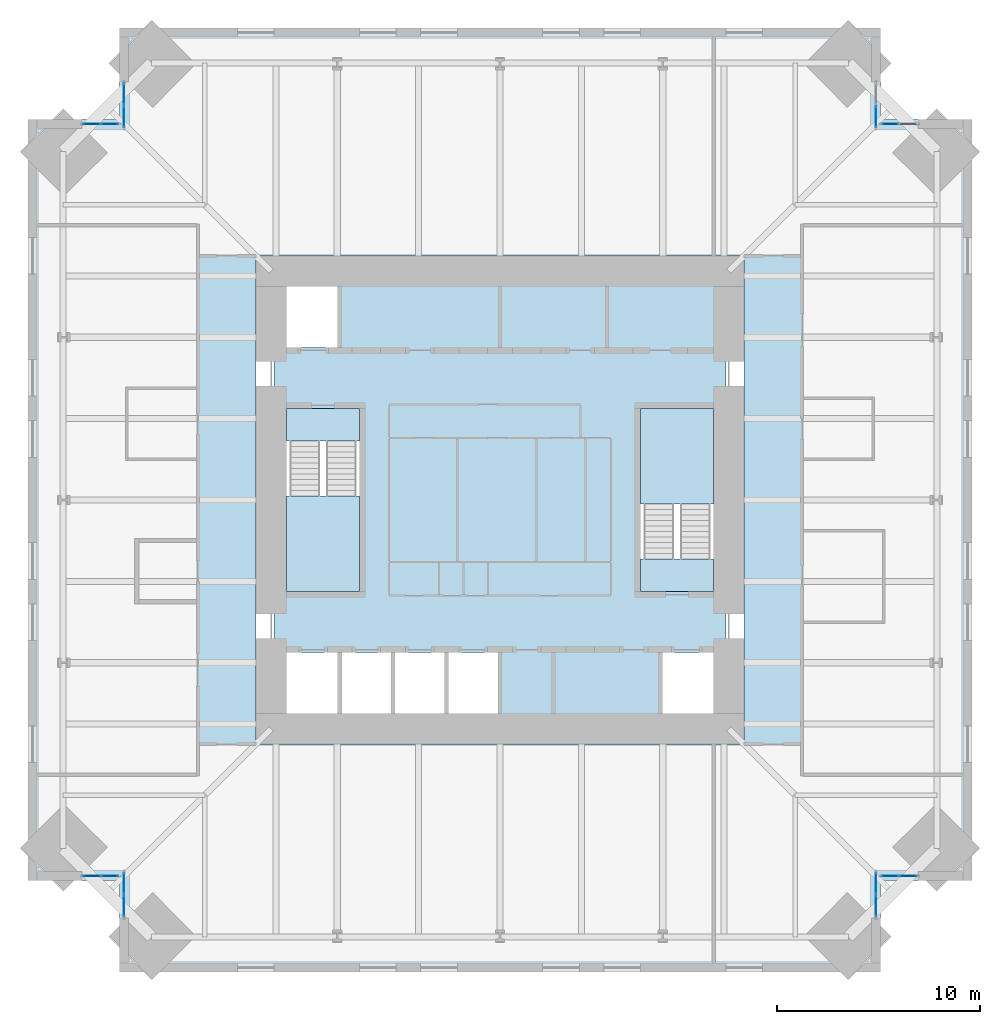
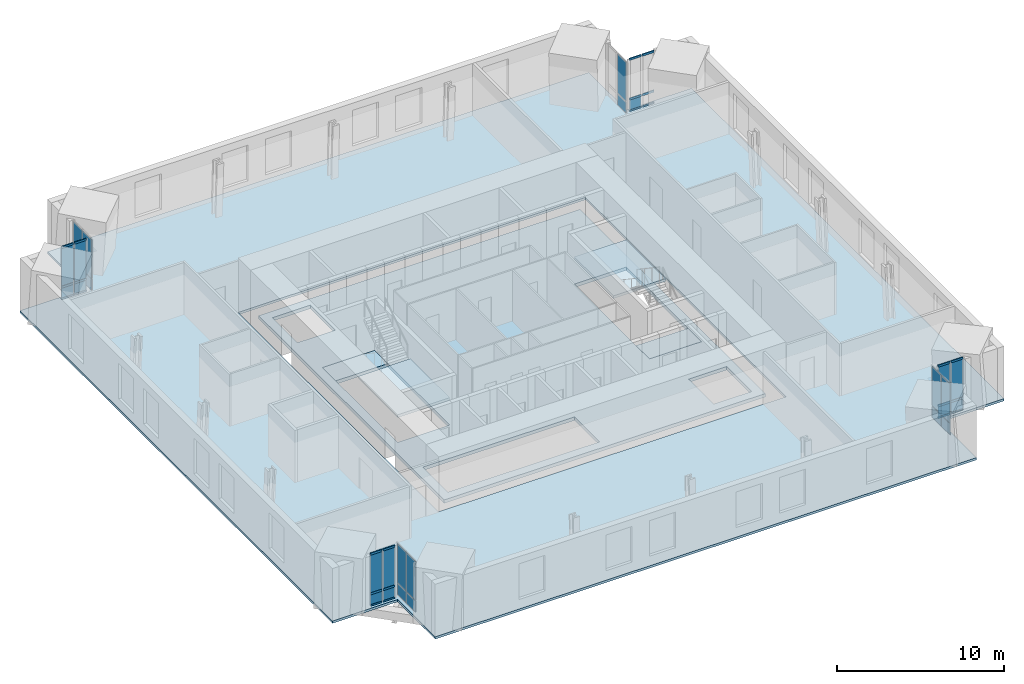
# One storey, part 9 of 15: 27 plates, 24 members, 6 slabs, 10 elements without a shape of their own.
"""IFC4 building model written with IfcOpenShell, lengths in metres."""

from ifc_helpers import new_model, si_unit, direction, frame, origin, origin_2d, place, context, subcontext, project, spatial, polyline, rectangle, hollow_rectangle, outline, extrude, material, layer, layer_set, material_profile, profile_set, type_object, element, aggregate, save


model = new_model("IFC4")

# Units and contexts
model_context = context("Model", 3, precision=1e-05, world=origin(), true_north=direction((0.0, 1.0)))
body_context = subcontext(model_context, "Body", "Model", "MODEL_VIEW")
ifc_project = project(units=[si_unit("LENGTHUNIT", "METRE"), si_unit("AREAUNIT", "SQUARE_METRE"), si_unit("VOLUMEUNIT", "CUBIC_METRE"), si_unit("PLANEANGLEUNIT", "RADIAN"), si_unit("MASSUNIT", "GRAM", prefix="KILO")], contexts=[model_context])

# Site, building, storey
site_placement = place(None, origin())
site = spatial("IfcSite", under=ifc_project, at=site_placement, CompositionType="ELEMENT")
building_placement = place(site_placement, origin())
building = spatial("IfcBuilding", under=site, at=building_placement, Name="Peilmerk Tower", CompositionType="ELEMENT")
storey_placement = place(building_placement, frame((0.0, 0.0, 233.800048828125)))
storey = spatial("IfcBuildingStorey", under=building, at=storey_placement, Name="L51", CompositionType="ELEMENT", Elevation=233.800048828125)

# Curtain wall, members
ifc_material_1 = material(Name="Aluminium stick curtain wall", Category="aluminium")
curtain_wall_type = type_object("IfcCurtainWallType", Name="CW4 stick curtain wall, 2250 module", PredefinedType="NOTDEFINED", material=ifc_material_1)
curtain_wall_1_placement = place(storey_placement, origin())
curtain_wall_1 = element("IfcCurtainWall", 1, at=curtain_wall_1_placement, inside=storey, type_object=curtain_wall_type, Name="Curtain wall CW4 NEB L51", PredefinedType="NOTDEFINED")
ifc_material_2 = material(Name="Aluminium EN AW-6063 T6", Category="aluminium")
ifc_material_profile = material_profile(ifc_material_2, hollow_rectangle(XDim=0.06494140625, YDim=0.14990234375, WallThickness=0.0029296875, at=origin_2d()), Name="AL 150x65x3")
ifc_profile_set = profile_set([ifc_material_profile], Name="Aluminium EN AW-6063 T6")
member_type = type_object("IfcMemberType", Name="CW4-T AL 150x65x3 transom", PredefinedType="USERDEFINED", material=ifc_profile_set)
member_1_placement = place(storey_placement, frame((18.764892578125, 18.47509765625, 0.032470703125), z_axis=(1.0, 0.0, 0.0), x_axis=(0.0, 1.0, 0.0)))
member_1 = element("IfcMember", 2, at=member_1_placement, type_object=member_type, Name="CW4 transom 1.1", ObjectType="TRANSOM", PredefinedType="USERDEFINED", context=body_context, shape_type="SweptSolid", body=[
    extrude(hollow_rectangle(XDim=0.06494140625, YDim=0.14990234375, WallThickness=0.0029296875, at=origin_2d()), origin(), (0.0, 0.0, 1.0), 0.822021484375),
])
member_2_placement = place(storey_placement, frame((18.764892578125, 18.47509765625, 0.89990234375), z_axis=(1.0, 0.0, 0.0), x_axis=(0.0, 1.0, 0.0)))
member_2 = element("IfcMember", 3, at=member_2_placement, type_object=member_type, Name="CW4 transom 1.2", ObjectType="TRANSOM", PredefinedType="USERDEFINED", context=body_context, shape_type="SweptSolid", body=[
    extrude(hollow_rectangle(XDim=0.06494140625, YDim=0.14990234375, WallThickness=0.0029296875, at=origin_2d()), origin(), (0.0, 0.0, 1.0), 0.822021484375),
])
member_3_placement = place(storey_placement, frame((18.764892578125, 18.47509765625, 3.79736328125), z_axis=(1.0, 0.0, 0.0), x_axis=(0.0, 1.0, 0.0)))
member_3 = element("IfcMember", 4, at=member_3_placement, type_object=member_type, Name="CW4 transom 1.3", ObjectType="TRANSOM", PredefinedType="USERDEFINED", context=body_context, shape_type="SweptSolid", body=[
    extrude(hollow_rectangle(XDim=0.06494140625, YDim=0.14990234375, WallThickness=0.0029296875, at=origin_2d()), origin(), (0.0, 0.0, 1.0), 0.822021484375),
])
member_4_placement = place(storey_placement, frame((19.65185546875, 18.47509765625, 0.032470703125), z_axis=(1.0, 0.0, 0.0), x_axis=(0.0, 1.0, 0.0)))
member_4 = element("IfcMember", 5, at=member_4_placement, type_object=member_type, Name="CW4 transom 2.1", ObjectType="TRANSOM", PredefinedType="USERDEFINED", context=body_context, shape_type="SweptSolid", body=[
    extrude(hollow_rectangle(XDim=0.06494140625, YDim=0.14990234375, WallThickness=0.0029296875, at=origin_2d()), origin(), (0.0, 0.0, 1.0), 0.82177734375),
])
member_5_placement = place(storey_placement, frame((19.65185546875, 18.47509765625, 0.89990234375), z_axis=(1.0, 0.0, 0.0), x_axis=(0.0, 1.0, 0.0)))
member_5 = element("IfcMember", 6, at=member_5_placement, type_object=member_type, Name="CW4 transom 2.2", ObjectType="TRANSOM", PredefinedType="USERDEFINED", context=body_context, shape_type="SweptSolid", body=[
    extrude(hollow_rectangle(XDim=0.06494140625, YDim=0.14990234375, WallThickness=0.0029296875, at=origin_2d()), origin(), (0.0, 0.0, 1.0), 0.82177734375),
])
member_6_placement = place(storey_placement, frame((19.65185546875, 18.47509765625, 3.79736328125), z_axis=(1.0, 0.0, 0.0), x_axis=(0.0, 1.0, 0.0)))
member_6 = element("IfcMember", 7, at=member_6_placement, type_object=member_type, Name="CW4 transom 2.3", ObjectType="TRANSOM", PredefinedType="USERDEFINED", context=body_context, shape_type="SweptSolid", body=[
    extrude(hollow_rectangle(XDim=0.06494140625, YDim=0.14990234375, WallThickness=0.0029296875, at=origin_2d()), origin(), (0.0, 0.0, 1.0), 0.82177734375),
])

curtain_wall_2_placement = place(storey_placement, origin())
curtain_wall_2 = element("IfcCurtainWall", 8, at=curtain_wall_2_placement, inside=storey, type_object=curtain_wall_type, Name="Curtain wall CW4 SEB L51", PredefinedType="NOTDEFINED")
member_7_placement = place(storey_placement, frame((18.764892578125, -18.47509765625, 0.032470703125), z_axis=(1.0, 0.0, 0.0), x_axis=(0.0, 1.0, 0.0)))
member_7 = element("IfcMember", 9, at=member_7_placement, type_object=member_type, Name="CW4 transom 1.1", ObjectType="TRANSOM", PredefinedType="USERDEFINED", context=body_context, shape_type="SweptSolid", body=[
    extrude(hollow_rectangle(XDim=0.06494140625, YDim=0.14990234375, WallThickness=0.0029296875, at=origin_2d()), origin(), (0.0, 0.0, 1.0), 0.822021484375),
])
member_8_placement = place(storey_placement, frame((18.764892578125, -18.47509765625, 0.89990234375), z_axis=(1.0, 0.0, 0.0), x_axis=(0.0, 1.0, 0.0)))
member_8 = element("IfcMember", 10, at=member_8_placement, type_object=member_type, Name="CW4 transom 1.2", ObjectType="TRANSOM", PredefinedType="USERDEFINED", context=body_context, shape_type="SweptSolid", body=[
    extrude(hollow_rectangle(XDim=0.06494140625, YDim=0.14990234375, WallThickness=0.0029296875, at=origin_2d()), origin(), (0.0, 0.0, 1.0), 0.822021484375),
])
member_9_placement = place(storey_placement, frame((18.764892578125, -18.47509765625, 3.79736328125), z_axis=(1.0, 0.0, 0.0), x_axis=(0.0, 1.0, 0.0)))
member_9 = element("IfcMember", 11, at=member_9_placement, type_object=member_type, Name="CW4 transom 1.3", ObjectType="TRANSOM", PredefinedType="USERDEFINED", context=body_context, shape_type="SweptSolid", body=[
    extrude(hollow_rectangle(XDim=0.06494140625, YDim=0.14990234375, WallThickness=0.0029296875, at=origin_2d()), origin(), (0.0, 0.0, 1.0), 0.822021484375),
])
member_10_placement = place(storey_placement, frame((19.65185546875, -18.47509765625, 0.032470703125), z_axis=(1.0, 0.0, 0.0), x_axis=(0.0, 1.0, 0.0)))
member_10 = element("IfcMember", 12, at=member_10_placement, type_object=member_type, Name="CW4 transom 2.1", ObjectType="TRANSOM", PredefinedType="USERDEFINED", context=body_context, shape_type="SweptSolid", body=[
    extrude(hollow_rectangle(XDim=0.06494140625, YDim=0.14990234375, WallThickness=0.0029296875, at=origin_2d()), origin(), (0.0, 0.0, 1.0), 0.82177734375),
])
member_11_placement = place(storey_placement, frame((19.65185546875, -18.47509765625, 0.89990234375), z_axis=(1.0, 0.0, 0.0), x_axis=(0.0, 1.0, 0.0)))
member_11 = element("IfcMember", 13, at=member_11_placement, type_object=member_type, Name="CW4 transom 2.2", ObjectType="TRANSOM", PredefinedType="USERDEFINED", context=body_context, shape_type="SweptSolid", body=[
    extrude(hollow_rectangle(XDim=0.06494140625, YDim=0.14990234375, WallThickness=0.0029296875, at=origin_2d()), origin(), (0.0, 0.0, 1.0), 0.82177734375),
])
member_12_placement = place(storey_placement, frame((19.65185546875, -18.47509765625, 3.79736328125), z_axis=(1.0, 0.0, 0.0), x_axis=(0.0, 1.0, 0.0)))
member_12 = element("IfcMember", 14, at=member_12_placement, type_object=member_type, Name="CW4 transom 2.3", ObjectType="TRANSOM", PredefinedType="USERDEFINED", context=body_context, shape_type="SweptSolid", body=[
    extrude(hollow_rectangle(XDim=0.06494140625, YDim=0.14990234375, WallThickness=0.0029296875, at=origin_2d()), origin(), (0.0, 0.0, 1.0), 0.82177734375),
])

curtain_wall_3_placement = place(storey_placement, origin())
curtain_wall_3 = element("IfcCurtainWall", 15, at=curtain_wall_3_placement, inside=storey, type_object=curtain_wall_type, Name="Curtain wall CW4 SWB L51", PredefinedType="NOTDEFINED")
member_13_placement = place(storey_placement, frame((-18.764892578125, -18.47509765625, 0.032470703125), z_axis=(-1.0, 0.0, 0.0), x_axis=(0.0, -1.0, 0.0)))
member_13 = element("IfcMember", 16, at=member_13_placement, type_object=member_type, Name="CW4 transom 1.1", ObjectType="TRANSOM", PredefinedType="USERDEFINED", context=body_context, shape_type="SweptSolid", body=[
    extrude(hollow_rectangle(XDim=0.06494140625, YDim=0.14990234375, WallThickness=0.0029296875, at=origin_2d()), origin(), (0.0, 0.0, 1.0), 0.822021484375),
])
member_14_placement = place(storey_placement, frame((-18.764892578125, -18.47509765625, 0.89990234375), z_axis=(-1.0, 0.0, 0.0), x_axis=(0.0, -1.0, 0.0)))
member_14 = element("IfcMember", 17, at=member_14_placement, type_object=member_type, Name="CW4 transom 1.2", ObjectType="TRANSOM", PredefinedType="USERDEFINED", context=body_context, shape_type="SweptSolid", body=[
    extrude(hollow_rectangle(XDim=0.06494140625, YDim=0.14990234375, WallThickness=0.0029296875, at=origin_2d()), origin(), (0.0, 0.0, 1.0), 0.822021484375),
])
member_15_placement = place(storey_placement, frame((-18.764892578125, -18.47509765625, 3.79736328125), z_axis=(-1.0, 0.0, 0.0), x_axis=(0.0, -1.0, 0.0)))
member_15 = element("IfcMember", 18, at=member_15_placement, type_object=member_type, Name="CW4 transom 1.3", ObjectType="TRANSOM", PredefinedType="USERDEFINED", context=body_context, shape_type="SweptSolid", body=[
    extrude(hollow_rectangle(XDim=0.06494140625, YDim=0.14990234375, WallThickness=0.0029296875, at=origin_2d()), origin(), (0.0, 0.0, 1.0), 0.822021484375),
])
member_16_placement = place(storey_placement, frame((-19.65185546875, -18.47509765625, 0.032470703125), z_axis=(-1.0, 0.0, 0.0), x_axis=(0.0, -1.0, 0.0)))
member_16 = element("IfcMember", 19, at=member_16_placement, type_object=member_type, Name="CW4 transom 2.1", ObjectType="TRANSOM", PredefinedType="USERDEFINED", context=body_context, shape_type="SweptSolid", body=[
    extrude(hollow_rectangle(XDim=0.06494140625, YDim=0.14990234375, WallThickness=0.0029296875, at=origin_2d()), origin(), (0.0, 0.0, 1.0), 0.82177734375),
])
member_17_placement = place(storey_placement, frame((-19.65185546875, -18.47509765625, 0.89990234375), z_axis=(-1.0, 0.0, 0.0), x_axis=(0.0, -1.0, 0.0)))
member_17 = element("IfcMember", 20, at=member_17_placement, type_object=member_type, Name="CW4 transom 2.2", ObjectType="TRANSOM", PredefinedType="USERDEFINED", context=body_context, shape_type="SweptSolid", body=[
    extrude(hollow_rectangle(XDim=0.06494140625, YDim=0.14990234375, WallThickness=0.0029296875, at=origin_2d()), origin(), (0.0, 0.0, 1.0), 0.82177734375),
])
member_18_placement = place(storey_placement, frame((-19.65185546875, -18.47509765625, 3.79736328125), z_axis=(-1.0, 0.0, 0.0), x_axis=(0.0, -1.0, 0.0)))
member_18 = element("IfcMember", 21, at=member_18_placement, type_object=member_type, Name="CW4 transom 2.3", ObjectType="TRANSOM", PredefinedType="USERDEFINED", context=body_context, shape_type="SweptSolid", body=[
    extrude(hollow_rectangle(XDim=0.06494140625, YDim=0.14990234375, WallThickness=0.0029296875, at=origin_2d()), origin(), (0.0, 0.0, 1.0), 0.82177734375),
])

curtain_wall_4_placement = place(storey_placement, origin())
curtain_wall_4 = element("IfcCurtainWall", 22, at=curtain_wall_4_placement, inside=storey, type_object=curtain_wall_type, Name="Curtain wall CW4 NWB L51", PredefinedType="NOTDEFINED")
member_19_placement = place(storey_placement, frame((-18.764892578125, 18.47509765625, 0.032470703125), z_axis=(-1.0, 0.0, 0.0), x_axis=(0.0, -1.0, 0.0)))
member_19 = element("IfcMember", 23, at=member_19_placement, type_object=member_type, Name="CW4 transom 1.1", ObjectType="TRANSOM", PredefinedType="USERDEFINED", context=body_context, shape_type="SweptSolid", body=[
    extrude(hollow_rectangle(XDim=0.06494140625, YDim=0.14990234375, WallThickness=0.0029296875, at=origin_2d()), origin(), (0.0, 0.0, 1.0), 0.822021484375),
])
member_20_placement = place(storey_placement, frame((-18.764892578125, 18.47509765625, 0.89990234375), z_axis=(-1.0, 0.0, 0.0), x_axis=(0.0, -1.0, 0.0)))
member_20 = element("IfcMember", 24, at=member_20_placement, type_object=member_type, Name="CW4 transom 1.2", ObjectType="TRANSOM", PredefinedType="USERDEFINED", context=body_context, shape_type="SweptSolid", body=[
    extrude(hollow_rectangle(XDim=0.06494140625, YDim=0.14990234375, WallThickness=0.0029296875, at=origin_2d()), origin(), (0.0, 0.0, 1.0), 0.822021484375),
])
member_21_placement = place(storey_placement, frame((-18.764892578125, 18.47509765625, 3.79736328125), z_axis=(-1.0, 0.0, 0.0), x_axis=(0.0, -1.0, 0.0)))
member_21 = element("IfcMember", 25, at=member_21_placement, type_object=member_type, Name="CW4 transom 1.3", ObjectType="TRANSOM", PredefinedType="USERDEFINED", context=body_context, shape_type="SweptSolid", body=[
    extrude(hollow_rectangle(XDim=0.06494140625, YDim=0.14990234375, WallThickness=0.0029296875, at=origin_2d()), origin(), (0.0, 0.0, 1.0), 0.822021484375),
])
member_22_placement = place(storey_placement, frame((-19.65185546875, 18.47509765625, 0.032470703125), z_axis=(-1.0, 0.0, 0.0), x_axis=(0.0, -1.0, 0.0)))
member_22 = element("IfcMember", 26, at=member_22_placement, type_object=member_type, Name="CW4 transom 2.1", ObjectType="TRANSOM", PredefinedType="USERDEFINED", context=body_context, shape_type="SweptSolid", body=[
    extrude(hollow_rectangle(XDim=0.06494140625, YDim=0.14990234375, WallThickness=0.0029296875, at=origin_2d()), origin(), (0.0, 0.0, 1.0), 0.82177734375),
])
member_23_placement = place(storey_placement, frame((-19.65185546875, 18.47509765625, 0.89990234375), z_axis=(-1.0, 0.0, 0.0), x_axis=(0.0, -1.0, 0.0)))
member_23 = element("IfcMember", 27, at=member_23_placement, type_object=member_type, Name="CW4 transom 2.2", ObjectType="TRANSOM", PredefinedType="USERDEFINED", context=body_context, shape_type="SweptSolid", body=[
    extrude(hollow_rectangle(XDim=0.06494140625, YDim=0.14990234375, WallThickness=0.0029296875, at=origin_2d()), origin(), (0.0, 0.0, 1.0), 0.82177734375),
])
member_24_placement = place(storey_placement, frame((-19.65185546875, 18.47509765625, 3.79736328125), z_axis=(-1.0, 0.0, 0.0), x_axis=(0.0, -1.0, 0.0)))
member_24 = element("IfcMember", 28, at=member_24_placement, type_object=member_type, Name="CW4 transom 2.3", ObjectType="TRANSOM", PredefinedType="USERDEFINED", context=body_context, shape_type="SweptSolid", body=[
    extrude(hollow_rectangle(XDim=0.06494140625, YDim=0.14990234375, WallThickness=0.0029296875, at=origin_2d()), origin(), (0.0, 0.0, 1.0), 0.82177734375),
])

# Slab
ifc_material_3 = material(Name="Concrete C55/67", Category="concrete")
ifc_layer_1 = layer(ifc_material_3, 0.25)
ifc_layer_set_1 = layer_set([ifc_layer_1], Name="Concrete C55/67")
slab_type_1 = type_object("IfcSlabType", Name="CS250 250 core floor slab", PredefinedType="FLOOR", material=ifc_layer_set_1)
slab_1_placement = place(storey_placement, frame((0.0, 0.0, -0.25)))
element("IfcSlab", 29, at=slab_1_placement, inside=storey, type_object=slab_type_1, Name="Core slab L51", PredefinedType="FLOOR", context=body_context, shape_type="SweptSolid", body=[
    extrude(outline(polyline([(11.10009765625, -11.10009765625), (11.10009765625, 11.10009765625), (-11.10009765625, 11.10009765625), (-11.10009765625, -11.10009765625), (11.10009765625, -11.10009765625)]), holes=[polyline([(-7.875, 7.5), (-10.5, 7.5), (-10.5, 10.5), (-7.875, 10.5), (-7.875, 7.5)]), polyline([(0.0, -10.5), (-10.5, -10.5), (-10.5, -7.5), (0.0, -7.5), (0.0, -10.5)]), polyline([(7.875, -10.5), (7.875, -7.5), (10.5, -7.5), (10.5, -10.5), (7.875, -10.5)]), polyline([(-10.5, 4.5), (-6.89990234375, 4.5), (-6.89990234375, -4.5), (-10.5, -4.5), (-10.5, 4.5)]), polyline([(10.5, 4.5), (10.5, -4.5), (6.89990234375, -4.5), (6.89990234375, 4.5), (10.5, 4.5)])]), origin(), (0.0, 0.0, 1.0), 0.25),
])

# Curtain wall, plates
curtain_wall_5_placement = place(storey_placement, origin())
curtain_wall_5 = element("IfcCurtainWall", 30, at=curtain_wall_5_placement, inside=storey, type_object=curtain_wall_type, Name="Curtain wall CW4 NEA L51", PredefinedType="NOTDEFINED")
ifc_material_4 = material(Name="Clear insulated glazing unit", Category="glass")
ifc_layer_2 = layer(ifc_material_4, 0.028076171875)
ifc_layer_set_2 = layer_set([ifc_layer_2], Name="Clear insulated glazing unit")
plate_type = type_object("IfcPlateType", Name="CW4-P 28 glazed panel", PredefinedType="CURTAIN_PANEL", material=ifc_layer_set_2)
plate_1_placement = place(storey_placement, frame((18.47509765625, 18.83837890625, 0.06494140625), z_axis=(0.0, 0.0, 1.0), x_axis=(0.0, 1.0, 0.0)))
plate_1 = element("IfcPlate", 31, at=plate_1_placement, type_object=plate_type, Name="CW4 panel 1.1", PredefinedType="CURTAIN_PANEL", context=body_context, shape_type="SweptSolid", body=[
    extrude(rectangle(XDim=1.046875, YDim=0.028076171875, at=origin_2d()), origin(), (0.0, 0.0, 1.0), 0.802490234375),
])
plate_2_placement = place(storey_placement, frame((18.47509765625, 18.83837890625, 0.932373046875), z_axis=(0.0, 0.0, 1.0), x_axis=(0.0, 1.0, 0.0)))
plate_2 = element("IfcPlate", 32, at=plate_2_placement, type_object=plate_type, Name="CW4 panel 1.2", PredefinedType="CURTAIN_PANEL", context=body_context, shape_type="SweptSolid", body=[
    extrude(rectangle(XDim=1.046875, YDim=0.028076171875, at=origin_2d()), origin(), (0.0, 0.0, 1.0), 2.83251953125),
])
aggregate(curtain_wall_5, [plate_1, plate_2])

# Plate
plate_3_placement = place(storey_placement, frame((19.176025390625, 18.47509765625, 0.06494140625), z_axis=(0.0, 0.0, 1.0), x_axis=(1.0, 0.0, 0.0)))
plate_3 = element("IfcPlate", 33, at=plate_3_placement, type_object=plate_type, Name="CW4 panel 1.1", PredefinedType="CURTAIN_PANEL", context=body_context, shape_type="SweptSolid", body=[
    extrude(rectangle(XDim=0.82177734375, YDim=0.028076171875, at=origin_2d()), origin(), (0.0, 0.0, 1.0), 0.802490234375),
])

aggregate(curtain_wall_1, [member_1, member_2, member_3, plate_3, member_4, member_5, member_6])

# Curtain wall, plates
curtain_wall_6_placement = place(storey_placement, origin())
curtain_wall_6 = element("IfcCurtainWall", 34, at=curtain_wall_6_placement, inside=storey, type_object=curtain_wall_type, Name="Curtain wall CW4 SEA L51", PredefinedType="NOTDEFINED")
plate_4_placement = place(storey_placement, frame((18.47509765625, -18.83837890625, 0.06494140625), z_axis=(0.0, 0.0, 1.0), x_axis=(0.0, -1.0, 0.0)))
plate_4 = element("IfcPlate", 35, at=plate_4_placement, type_object=plate_type, Name="CW4 panel 1.1", PredefinedType="CURTAIN_PANEL", context=body_context, shape_type="SweptSolid", body=[
    extrude(rectangle(XDim=1.046875, YDim=0.028076171875, at=origin_2d()), origin(), (0.0, 0.0, 1.0), 0.802490234375),
])
plate_5_placement = place(storey_placement, frame((18.47509765625, -18.83837890625, 0.932373046875), z_axis=(0.0, 0.0, 1.0), x_axis=(0.0, -1.0, 0.0)))
plate_5 = element("IfcPlate", 36, at=plate_5_placement, type_object=plate_type, Name="CW4 panel 1.2", PredefinedType="CURTAIN_PANEL", context=body_context, shape_type="SweptSolid", body=[
    extrude(rectangle(XDim=1.046875, YDim=0.028076171875, at=origin_2d()), origin(), (0.0, 0.0, 1.0), 2.83251953125),
])
plate_6_placement = place(storey_placement, frame((18.47509765625, -19.9501953125, 0.06494140625), z_axis=(0.0, 0.0, 1.0), x_axis=(0.0, -1.0, 0.0)))
plate_6 = element("IfcPlate", 37, at=plate_6_placement, type_object=plate_type, Name="CW4 panel 2.1", PredefinedType="CURTAIN_PANEL", context=body_context, shape_type="SweptSolid", body=[
    extrude(rectangle(XDim=1.046875, YDim=0.028076171875, at=origin_2d()), origin(), (0.0, 0.0, 1.0), 0.802490234375),
])
plate_7_placement = place(storey_placement, frame((18.47509765625, -19.9501953125, 0.932373046875), z_axis=(0.0, 0.0, 1.0), x_axis=(0.0, -1.0, 0.0)))
plate_7 = element("IfcPlate", 38, at=plate_7_placement, type_object=plate_type, Name="CW4 panel 2.2", PredefinedType="CURTAIN_PANEL", context=body_context, shape_type="SweptSolid", body=[
    extrude(rectangle(XDim=1.046875, YDim=0.028076171875, at=origin_2d()), origin(), (0.0, 0.0, 1.0), 2.83251953125),
])
aggregate(curtain_wall_6, [plate_4, plate_5, plate_6, plate_7])

# Plate
plate_8_placement = place(storey_placement, frame((19.176025390625, -18.47509765625, 0.06494140625), z_axis=(0.0, 0.0, 1.0), x_axis=(1.0, 0.0, 0.0)))
plate_8 = element("IfcPlate", 39, at=plate_8_placement, type_object=plate_type, Name="CW4 panel 1.1", PredefinedType="CURTAIN_PANEL", context=body_context, shape_type="SweptSolid", body=[
    extrude(rectangle(XDim=0.82177734375, YDim=0.028076171875, at=origin_2d()), origin(), (0.0, 0.0, 1.0), 0.802490234375),
])

plate_9_placement = place(storey_placement, frame((19.176025390625, -18.47509765625, 0.932373046875), z_axis=(0.0, 0.0, 1.0), x_axis=(1.0, 0.0, 0.0)))
plate_9 = element("IfcPlate", 40, at=plate_9_placement, type_object=plate_type, Name="CW4 panel 1.2", PredefinedType="CURTAIN_PANEL", context=body_context, shape_type="SweptSolid", body=[
    extrude(rectangle(XDim=0.82177734375, YDim=0.028076171875, at=origin_2d()), origin(), (0.0, 0.0, 1.0), 2.83251953125),
])

plate_10_placement = place(storey_placement, frame((20.062744140625, -18.47509765625, 0.06494140625), z_axis=(0.0, 0.0, 1.0), x_axis=(1.0, 0.0, 0.0)))
plate_10 = element("IfcPlate", 41, at=plate_10_placement, type_object=plate_type, Name="CW4 panel 2.1", PredefinedType="CURTAIN_PANEL", context=body_context, shape_type="SweptSolid", body=[
    extrude(rectangle(XDim=0.82177734375, YDim=0.028076171875, at=origin_2d()), origin(), (0.0, 0.0, 1.0), 0.802490234375),
])

plate_11_placement = place(storey_placement, frame((20.062744140625, -18.47509765625, 0.932373046875), z_axis=(0.0, 0.0, 1.0), x_axis=(1.0, 0.0, 0.0)))
plate_11 = element("IfcPlate", 42, at=plate_11_placement, type_object=plate_type, Name="CW4 panel 2.2", PredefinedType="CURTAIN_PANEL", context=body_context, shape_type="SweptSolid", body=[
    extrude(rectangle(XDim=0.82177734375, YDim=0.028076171875, at=origin_2d()), origin(), (0.0, 0.0, 1.0), 2.83251953125),
])

aggregate(curtain_wall_2, [member_7, member_8, member_9, plate_8, plate_9, member_10, member_11, member_12, plate_10, plate_11])

# Curtain wall, plates
curtain_wall_7_placement = place(storey_placement, origin())
curtain_wall_7 = element("IfcCurtainWall", 43, at=curtain_wall_7_placement, inside=storey, type_object=curtain_wall_type, Name="Curtain wall CW4 SWA L51", PredefinedType="NOTDEFINED")
plate_12_placement = place(storey_placement, frame((-18.47509765625, -18.83837890625, 0.06494140625), z_axis=(0.0, 0.0, 1.0), x_axis=(0.0, -1.0, 0.0)))
plate_12 = element("IfcPlate", 44, at=plate_12_placement, type_object=plate_type, Name="CW4 panel 1.1", PredefinedType="CURTAIN_PANEL", context=body_context, shape_type="SweptSolid", body=[
    extrude(rectangle(XDim=1.046875, YDim=0.028076171875, at=origin_2d()), origin(), (0.0, 0.0, 1.0), 0.802490234375),
])
plate_13_placement = place(storey_placement, frame((-18.47509765625, -18.83837890625, 0.932373046875), z_axis=(0.0, 0.0, 1.0), x_axis=(0.0, -1.0, 0.0)))
plate_13 = element("IfcPlate", 45, at=plate_13_placement, type_object=plate_type, Name="CW4 panel 1.2", PredefinedType="CURTAIN_PANEL", context=body_context, shape_type="SweptSolid", body=[
    extrude(rectangle(XDim=1.046875, YDim=0.028076171875, at=origin_2d()), origin(), (0.0, 0.0, 1.0), 2.83251953125),
])
plate_14_placement = place(storey_placement, frame((-18.47509765625, -19.9501953125, 0.06494140625), z_axis=(0.0, 0.0, 1.0), x_axis=(0.0, -1.0, 0.0)))
plate_14 = element("IfcPlate", 46, at=plate_14_placement, type_object=plate_type, Name="CW4 panel 2.1", PredefinedType="CURTAIN_PANEL", context=body_context, shape_type="SweptSolid", body=[
    extrude(rectangle(XDim=1.046875, YDim=0.028076171875, at=origin_2d()), origin(), (0.0, 0.0, 1.0), 0.802490234375),
])
plate_15_placement = place(storey_placement, frame((-18.47509765625, -19.9501953125, 0.932373046875), z_axis=(0.0, 0.0, 1.0), x_axis=(0.0, -1.0, 0.0)))
plate_15 = element("IfcPlate", 47, at=plate_15_placement, type_object=plate_type, Name="CW4 panel 2.2", PredefinedType="CURTAIN_PANEL", context=body_context, shape_type="SweptSolid", body=[
    extrude(rectangle(XDim=1.046875, YDim=0.028076171875, at=origin_2d()), origin(), (0.0, 0.0, 1.0), 2.83251953125),
])
aggregate(curtain_wall_7, [plate_12, plate_13, plate_14, plate_15])

# Plate
plate_16_placement = place(storey_placement, frame((-19.176025390625, -18.47509765625, 0.06494140625), z_axis=(0.0, 0.0, 1.0), x_axis=(-1.0, 0.0, 0.0)))
plate_16 = element("IfcPlate", 48, at=plate_16_placement, type_object=plate_type, Name="CW4 panel 1.1", PredefinedType="CURTAIN_PANEL", context=body_context, shape_type="SweptSolid", body=[
    extrude(rectangle(XDim=0.82177734375, YDim=0.028076171875, at=origin_2d()), origin(), (0.0, 0.0, 1.0), 0.802490234375),
])

plate_17_placement = place(storey_placement, frame((-19.176025390625, -18.47509765625, 0.932373046875), z_axis=(0.0, 0.0, 1.0), x_axis=(-1.0, 0.0, 0.0)))
plate_17 = element("IfcPlate", 49, at=plate_17_placement, type_object=plate_type, Name="CW4 panel 1.2", PredefinedType="CURTAIN_PANEL", context=body_context, shape_type="SweptSolid", body=[
    extrude(rectangle(XDim=0.82177734375, YDim=0.028076171875, at=origin_2d()), origin(), (0.0, 0.0, 1.0), 2.83251953125),
])

plate_18_placement = place(storey_placement, frame((-20.062744140625, -18.47509765625, 0.06494140625), z_axis=(0.0, 0.0, 1.0), x_axis=(-1.0, 0.0, 0.0)))
plate_18 = element("IfcPlate", 50, at=plate_18_placement, type_object=plate_type, Name="CW4 panel 2.1", PredefinedType="CURTAIN_PANEL", context=body_context, shape_type="SweptSolid", body=[
    extrude(rectangle(XDim=0.82177734375, YDim=0.028076171875, at=origin_2d()), origin(), (0.0, 0.0, 1.0), 0.802490234375),
])

plate_19_placement = place(storey_placement, frame((-20.062744140625, -18.47509765625, 0.932373046875), z_axis=(0.0, 0.0, 1.0), x_axis=(-1.0, 0.0, 0.0)))
plate_19 = element("IfcPlate", 51, at=plate_19_placement, type_object=plate_type, Name="CW4 panel 2.2", PredefinedType="CURTAIN_PANEL", context=body_context, shape_type="SweptSolid", body=[
    extrude(rectangle(XDim=0.82177734375, YDim=0.028076171875, at=origin_2d()), origin(), (0.0, 0.0, 1.0), 2.83251953125),
])

aggregate(curtain_wall_3, [member_13, member_14, member_15, plate_16, plate_17, member_16, member_17, member_18, plate_18, plate_19])

# Curtain wall, plates
curtain_wall_8_placement = place(storey_placement, origin())
curtain_wall_8 = element("IfcCurtainWall", 52, at=curtain_wall_8_placement, inside=storey, type_object=curtain_wall_type, Name="Curtain wall CW4 NWA L51", PredefinedType="NOTDEFINED")
plate_20_placement = place(storey_placement, frame((-18.47509765625, 18.83837890625, 0.06494140625), z_axis=(0.0, 0.0, 1.0), x_axis=(0.0, 1.0, 0.0)))
plate_20 = element("IfcPlate", 53, at=plate_20_placement, type_object=plate_type, Name="CW4 panel 1.1", PredefinedType="CURTAIN_PANEL", context=body_context, shape_type="SweptSolid", body=[
    extrude(rectangle(XDim=1.046875, YDim=0.028076171875, at=origin_2d()), origin(), (0.0, 0.0, 1.0), 0.802490234375),
])
plate_21_placement = place(storey_placement, frame((-18.47509765625, 18.83837890625, 0.932373046875), z_axis=(0.0, 0.0, 1.0), x_axis=(0.0, 1.0, 0.0)))
plate_21 = element("IfcPlate", 54, at=plate_21_placement, type_object=plate_type, Name="CW4 panel 1.2", PredefinedType="CURTAIN_PANEL", context=body_context, shape_type="SweptSolid", body=[
    extrude(rectangle(XDim=1.046875, YDim=0.028076171875, at=origin_2d()), origin(), (0.0, 0.0, 1.0), 2.83251953125),
])
plate_22_placement = place(storey_placement, frame((-18.47509765625, 19.9501953125, 0.06494140625), z_axis=(0.0, 0.0, 1.0), x_axis=(0.0, 1.0, 0.0)))
plate_22 = element("IfcPlate", 55, at=plate_22_placement, type_object=plate_type, Name="CW4 panel 2.1", PredefinedType="CURTAIN_PANEL", context=body_context, shape_type="SweptSolid", body=[
    extrude(rectangle(XDim=1.046875, YDim=0.028076171875, at=origin_2d()), origin(), (0.0, 0.0, 1.0), 0.802490234375),
])
plate_23_placement = place(storey_placement, frame((-18.47509765625, 19.9501953125, 0.932373046875), z_axis=(0.0, 0.0, 1.0), x_axis=(0.0, 1.0, 0.0)))
plate_23 = element("IfcPlate", 56, at=plate_23_placement, type_object=plate_type, Name="CW4 panel 2.2", PredefinedType="CURTAIN_PANEL", context=body_context, shape_type="SweptSolid", body=[
    extrude(rectangle(XDim=1.046875, YDim=0.028076171875, at=origin_2d()), origin(), (0.0, 0.0, 1.0), 2.83251953125),
])
aggregate(curtain_wall_8, [plate_20, plate_21, plate_22, plate_23])

# Plate
plate_24_placement = place(storey_placement, frame((-19.176025390625, 18.47509765625, 0.06494140625), z_axis=(0.0, 0.0, 1.0), x_axis=(-1.0, 0.0, 0.0)))
plate_24 = element("IfcPlate", 57, at=plate_24_placement, type_object=plate_type, Name="CW4 panel 1.1", PredefinedType="CURTAIN_PANEL", context=body_context, shape_type="SweptSolid", body=[
    extrude(rectangle(XDim=0.82177734375, YDim=0.028076171875, at=origin_2d()), origin(), (0.0, 0.0, 1.0), 0.802490234375),
])

plate_25_placement = place(storey_placement, frame((-19.176025390625, 18.47509765625, 0.932373046875), z_axis=(0.0, 0.0, 1.0), x_axis=(-1.0, 0.0, 0.0)))
plate_25 = element("IfcPlate", 58, at=plate_25_placement, type_object=plate_type, Name="CW4 panel 1.2", PredefinedType="CURTAIN_PANEL", context=body_context, shape_type="SweptSolid", body=[
    extrude(rectangle(XDim=0.82177734375, YDim=0.028076171875, at=origin_2d()), origin(), (0.0, 0.0, 1.0), 2.83251953125),
])

plate_26_placement = place(storey_placement, frame((-20.062744140625, 18.47509765625, 0.06494140625), z_axis=(0.0, 0.0, 1.0), x_axis=(-1.0, 0.0, 0.0)))
plate_26 = element("IfcPlate", 59, at=plate_26_placement, type_object=plate_type, Name="CW4 panel 2.1", PredefinedType="CURTAIN_PANEL", context=body_context, shape_type="SweptSolid", body=[
    extrude(rectangle(XDim=0.82177734375, YDim=0.028076171875, at=origin_2d()), origin(), (0.0, 0.0, 1.0), 0.802490234375),
])

plate_27_placement = place(storey_placement, frame((-20.062744140625, 18.47509765625, 0.932373046875), z_axis=(0.0, 0.0, 1.0), x_axis=(-1.0, 0.0, 0.0)))
plate_27 = element("IfcPlate", 60, at=plate_27_placement, type_object=plate_type, Name="CW4 panel 2.2", PredefinedType="CURTAIN_PANEL", context=body_context, shape_type="SweptSolid", body=[
    extrude(rectangle(XDim=0.82177734375, YDim=0.028076171875, at=origin_2d()), origin(), (0.0, 0.0, 1.0), 2.83251953125),
])

aggregate(curtain_wall_4, [member_19, member_20, member_21, plate_24, plate_25, member_22, member_23, member_24, plate_26, plate_27])

# Slab
ifc_material_5 = material(Name="Concrete C35/45", Category="concrete")
ifc_layer_3 = layer(ifc_material_5, 0.169921875)
ifc_layer_set_3 = layer_set([ifc_layer_3], Name="Concrete C35/45")
slab_type_2 = type_object("IfcSlabType", Name="FS170 170 composite floor slab", PredefinedType="FLOOR", material=ifc_layer_set_3)
slab_2_placement = place(storey_placement, frame((0.0, 0.0, -0.170166015625)))
element("IfcSlab", 61, at=slab_2_placement, inside=storey, type_object=slab_type_2, Name="Floor slab L51", PredefinedType="FLOOR", context=body_context, shape_type="SweptSolid", body=[
    extrude(outline(polyline([(-18.699951171875, -23.199951171875), (18.699951171875, -23.199951171875), (18.699951171875, -18.699951171875), (23.199951171875, -18.699951171875), (23.199951171875, 18.699951171875), (18.699951171875, 18.699951171875), (18.699951171875, 23.199951171875), (-18.699951171875, 23.199951171875), (-18.699951171875, 18.699951171875), (-23.199951171875, 18.699951171875), (-23.199951171875, -18.699951171875), (-18.699951171875, -18.699951171875), (-18.699951171875, -23.199951171875)]), holes=[polyline([(12.0, 12.0), (12.0, -12.0), (-12.0, -12.0), (-12.0, 12.0), (12.0, 12.0)])]), origin(), (0.0, 0.0, 1.0), 0.170166015625),
])

# Stair, slab
ifc_material_6 = material(Name="Precast concrete C45/55", Category="concrete")
stair_type_1 = type_object("IfcStairType", Name="ST1 22 risers of 181.8", PredefinedType="HALF_TURN_STAIR", material=ifc_material_6)
stair_1_placement = place(storey_placement, origin())
stair_1 = element("IfcStair", 62, at=stair_1_placement, inside=storey, type_object=stair_type_1, Name="Stair 1 L51 to L52", PredefinedType="HALF_TURN_STAIR")
ifc_layer_4 = layer(ifc_material_5, 0.199951171875)
ifc_layer_set_4 = layer_set([ifc_layer_4], Name="Concrete C35/45")
slab_type_3 = type_object("IfcSlabType", Name="SL1 200 concrete stair landing", PredefinedType="LANDING", material=ifc_layer_set_4)
slab_3_placement = place(storey_placement, frame((0.0, 0.0, 1.800048828125)))
slab_3 = element("IfcSlab", 63, at=slab_3_placement, type_object=slab_type_3, Name="ST1 landing 1", PredefinedType="LANDING", context=body_context, shape_type="SweptSolid", body=[
    extrude(outline(polyline([(-10.5, -4.5), (-6.89990234375, -4.5), (-6.89990234375, 0.199951171875), (-10.5, 0.199951171875), (-10.5, -4.5)])), origin(), (0.0, 0.0, 1.0), 0.199951171875),
])

stair_type_2 = type_object("IfcStairType", Name="ST2 22 risers of 181.8", PredefinedType="HALF_TURN_STAIR", material=ifc_material_6)
stair_2_placement = place(storey_placement, origin())
stair_2 = element("IfcStair", 64, at=stair_2_placement, inside=storey, type_object=stair_type_2, Name="Stair 2 L51 to L52", PredefinedType="HALF_TURN_STAIR")
slab_4_placement = place(storey_placement, frame((0.0, 0.0, 1.800048828125)))
slab_4 = element("IfcSlab", 65, at=slab_4_placement, type_object=slab_type_3, Name="ST2 landing 1", PredefinedType="LANDING", context=body_context, shape_type="SweptSolid", body=[
    extrude(outline(polyline([(6.89990234375, -0.199951171875), (10.5, -0.199951171875), (10.5, 4.5), (6.89990234375, 4.5), (6.89990234375, -0.199951171875)])), origin(), (0.0, 0.0, 1.0), 0.199951171875),
])

# Slab
ifc_layer_5 = layer(ifc_material_5, 0.25)
ifc_layer_set_5 = layer_set([ifc_layer_5], Name="Concrete C35/45")
slab_type_4 = type_object("IfcSlabType", Name="SL2 250 concrete floor landing", PredefinedType="LANDING", material=ifc_layer_set_5)
slab_5_placement = place(storey_placement, frame((0.0, 0.0, -0.25)))
slab_5 = element("IfcSlab", 66, at=slab_5_placement, type_object=slab_type_4, Name="ST1 floor landing", PredefinedType="LANDING", context=body_context, shape_type="SweptSolid", body=[
    extrude(outline(polyline([(-10.5, 2.89990234375), (-6.89990234375, 2.89990234375), (-6.89990234375, 4.5), (-10.5, 4.5), (-10.5, 2.89990234375)])), origin(), (0.0, 0.0, 1.0), 0.25),
])

aggregate(stair_1, [slab_3, slab_5])

slab_6_placement = place(storey_placement, frame((0.0, 0.0, -0.25)))
slab_6 = element("IfcSlab", 67, at=slab_6_placement, type_object=slab_type_4, Name="ST2 floor landing", PredefinedType="LANDING", context=body_context, shape_type="SweptSolid", body=[
    extrude(outline(polyline([(6.89990234375, -4.5), (10.5, -4.5), (10.5, -2.89990234375), (6.89990234375, -2.89990234375), (6.89990234375, -4.5)])), origin(), (0.0, 0.0, 1.0), 0.25),
])

aggregate(stair_2, [slab_4, slab_6])

save(model, "model.ifc")
